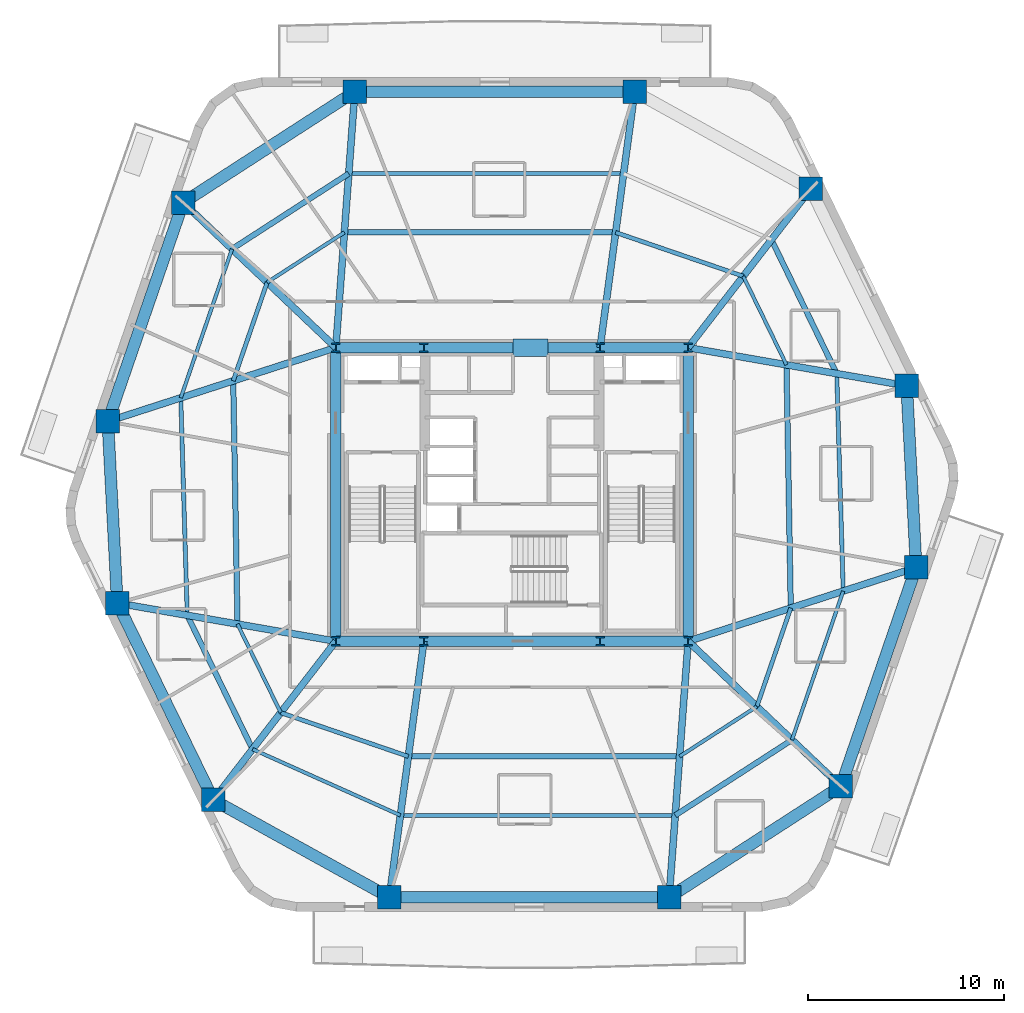
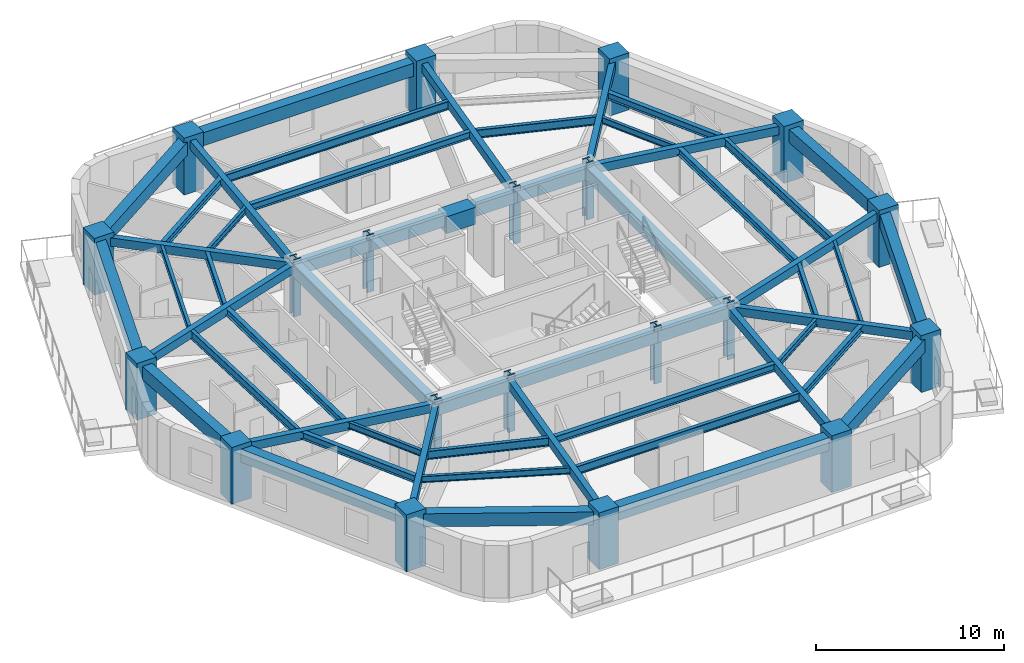
# One storey, part 1 of 8: 54 beams, 20 columns.
"""IFC4 building model written with IfcOpenShell, lengths in metres."""

from ifc_helpers import new_model, si_unit, direction, frame, origin, origin_2d, place, context, subcontext, project, spatial, rectangle, i_section, extrude, material, material_profile, profile_set, type_object, element, save


model = new_model("IFC4")

# Units and contexts
model_context = context("Model", 3, precision=1e-05, world=origin(), true_north=direction((0.0, 1.0)))
body_context = subcontext(model_context, "Body", "Model", "MODEL_VIEW")
ifc_project = project(units=[si_unit("LENGTHUNIT", "METRE"), si_unit("AREAUNIT", "SQUARE_METRE"), si_unit("VOLUMEUNIT", "CUBIC_METRE"), si_unit("PLANEANGLEUNIT", "RADIAN"), si_unit("MASSUNIT", "GRAM", prefix="KILO")], contexts=[model_context])

# Site, building, storey
site_placement = place(None, origin())
site = spatial("IfcSite", under=ifc_project, at=site_placement, CompositionType="ELEMENT")
building_placement = place(site_placement, origin())
building = spatial("IfcBuilding", under=site, at=building_placement, Name="Kilnhurst Terrace Hotel", CompositionType="ELEMENT")
storey_placement = place(building_placement, frame((0.0, 0.0, 132.10009765625)))
storey = spatial("IfcBuildingStorey", under=building, at=storey_placement, Name="L32", CompositionType="ELEMENT", Elevation=132.10009765625)

# Columns
ifc_material_1 = material(Name="Concrete C80/95", Category="concrete")
ifc_material_profile_1 = material_profile(ifc_material_1, rectangle(XDim=1.199951171875, YDim=1.199951171875, at=origin_2d()), Name="RC1200X1200")
ifc_profile_set_1 = profile_set([ifc_material_profile_1], Name="Concrete C80/95")
column_type_1 = type_object("IfcColumnType", Name="COL-RC-1200", PredefinedType="COLUMN", material=ifc_profile_set_1)
for number, where, z_axis, x_axis, name in (
    (1, (-6.26806640625, -20.580078125, 0.0), (0.0, 0.0, 1.0), (1.0, 0.0, 0.0), "L32 Structural Column PC-F11"),
    (2, (8.028076171875, -20.580078125, 0.0), (0.0, 0.0, 1.0), (1.0, 0.0, 0.0), "L32 Structural Column PC-F12"),
    (3, (16.800048828125, -14.910888671875, 0.0), (0.0, 0.0, 1.0), (1.0, 0.0, 0.0), "L32 Structural Column PC-F21"),
    (4, (20.64990234375, -3.73095703125, 0.0), (0.0, 0.0, 1.0), (1.0, 0.0, 0.0), "L32 Structural Column PC-F22"),
    (5, (20.1640625, 5.549072265625, 0.0), (0.0, 0.0, 1.0), (1.0, 0.0, 0.0), "L32 Structural Column PC-F31"),
    (6, (15.257080078125, 15.60888671875, 0.0), (0.0, 0.0, 1.0), (1.0, 0.0, 0.0), "L32 Structural Column PC-F32"),
    (7, (6.26806640625, 20.580078125, 0.0), (0.0, 0.0, 1.0), (1.0, 0.0, 0.0), "L32 Structural Column PC-F41"),
    (8, (-8.028076171875, 20.580078125, 0.0), (0.0, 0.0, 1.0), (1.0, 0.0, 0.0), "L32 Structural Column PC-F42"),
    (9, (-16.800048828125, 14.910888671875, 0.0), (0.0, 0.0, 1.0), (1.0, 0.0, 0.0), "L32 Structural Column PC-F51"),
    (10, (-20.64990234375, 3.73095703125, 0.0), (0.0, 0.0, 1.0), (1.0, 0.0, 0.0), "L32 Structural Column PC-F52"),
    (11, (-20.1640625, -5.549072265625, 0.0), (0.0, 0.0, 1.0), (1.0, 0.0, 0.0), "L32 Structural Column PC-F61"),
    (12, (-15.257080078125, -15.60888671875, 0.0), (0.0, 0.0, 1.0), (1.0, 0.0, 0.0), "L32 Structural Column PC-F62"),
):
    element("IfcColumn", number, at=place(storey_placement, frame(where, z_axis=z_axis, x_axis=x_axis)), inside=storey, type_object=column_type_1, Name=name, PredefinedType="COLUMN", context=body_context, shape_type="SweptSolid", body=[
        extrude(rectangle(XDim=1.199951171875, YDim=1.199951171875, at=origin_2d()), origin(), (0.0, 0.0, 1.0), 3.699951171875),
    ])
ifc_material_2 = material(Name="Steel ASTM A992 Grade 50", Category="steel")
ifc_material_profile_2 = material_profile(ifc_material_2, i_section(OverallWidth=0.43212890625, OverallDepth=0.497802734375, WebThickness=0.0556640625, FlangeThickness=0.0888671875, at=origin_2d()), Name="W14X500")
ifc_profile_set_2 = profile_set([ifc_material_profile_2], Name="Steel ASTM A992 Grade 50")
column_type_2 = type_object("IfcColumnType", Name="COL-STL-W14X500", PredefinedType="COLUMN", material=ifc_profile_set_2)
for number, where, z_axis, x_axis, name in (
    (13, (-9.0, -7.5, 0.0), (0.0, 0.0, 1.0), (1.0, 0.0, 0.0), "L32 Structural Column CC-SW"),
    (14, (-4.5, -7.5, 0.0), (0.0, 0.0, 1.0), (1.0, 0.0, 0.0), "L32 Structural Column CC-SC1"),
    (15, (4.5, -7.5, 0.0), (0.0, 0.0, 1.0), (1.0, 0.0, 0.0), "L32 Structural Column CC-SC2"),
    (16, (9.0, -7.5, 0.0), (0.0, 0.0, 1.0), (1.0, 0.0, 0.0), "L32 Structural Column CC-SE"),
    (17, (9.0, 7.5, 0.0), (0.0, 0.0, 1.0), (1.0, 0.0, 0.0), "L32 Structural Column CC-NE"),
    (18, (4.5, 7.5, 0.0), (0.0, 0.0, 1.0), (1.0, 0.0, 0.0), "L32 Structural Column CC-NC2"),
    (19, (-4.5, 7.5, 0.0), (0.0, 0.0, 1.0), (1.0, 0.0, 0.0), "L32 Structural Column CC-NC1"),
    (20, (-9.0, 7.5, 0.0), (0.0, 0.0, 1.0), (1.0, 0.0, 0.0), "L32 Structural Column CC-NW"),
):
    element("IfcColumn", number, at=place(storey_placement, frame(where, z_axis=z_axis, x_axis=x_axis)), inside=storey, type_object=column_type_2, Name=name, PredefinedType="COLUMN", context=body_context, shape_type="SweptSolid", body=[
        extrude(i_section(OverallWidth=0.43212890625, OverallDepth=0.497802734375, WebThickness=0.0556640625, FlangeThickness=0.0888671875, at=origin_2d()), origin(), (0.0, 0.0, 1.0), 3.699951171875),
    ])

# Beams
ifc_material_3 = material(Name="Concrete C50/60", Category="concrete")
ifc_material_profile_3 = material_profile(ifc_material_3, rectangle(XDim=0.35009765625, YDim=0.550048828125, at=origin_2d()), Name="RC350X550")
ifc_profile_set_3 = profile_set([ifc_material_profile_3], Name="Concrete C50/60")
beam_type_1 = type_object("IfcBeamType", Name="BM-RAD-350X550", PredefinedType="BEAM", material=ifc_profile_set_3)
beam_1_placement = place(storey_placement, frame((-4.5, -7.5, 3.125), z_axis=(-0.133954226177, -0.990987520249, 0.0), x_axis=(0.990987520249, -0.133954226177, 0.0)))
element("IfcBeam", 21, at=beam_1_placement, inside=storey, type_object=beam_type_1, Name="L32 Radial Floor Beam 1", PredefinedType="BEAM", context=body_context, shape_type="SweptSolid", body=[
    extrude(rectangle(XDim=0.35009765625, YDim=0.550048828125, at=origin_2d()), origin(), (0.0, 0.0, 1.0), 13.198974609375),
])
beam_2_placement = place(storey_placement, frame((9.0, -7.5, 3.125), z_axis=(-0.074101371747, -0.997250714066, 0.0), x_axis=(0.997250714066, -0.074101371747, 0.0)))
element("IfcBeam", 22, at=beam_2_placement, inside=storey, type_object=beam_type_1, Name="L32 Radial Floor Beam 2", PredefinedType="BEAM", context=body_context, shape_type="SweptSolid", body=[
    extrude(rectangle(XDim=0.35009765625, YDim=0.550048828125, at=origin_2d()), origin(), (0.0, 0.0, 1.0), 13.1162109375),
])
beam_3_placement = place(storey_placement, frame((9.0, -7.5, 3.125), z_axis=(0.724960341586, -0.688790609059, 0.0), x_axis=(0.688790609059, 0.724960341586, 0.0)))
element("IfcBeam", 23, at=beam_3_placement, inside=storey, type_object=beam_type_1, Name="L32 Radial Floor Beam 3", PredefinedType="BEAM", context=body_context, shape_type="SweptSolid", body=[
    extrude(rectangle(XDim=0.35009765625, YDim=0.550048828125, at=origin_2d()), origin(), (0.0, 0.0, 1.0), 10.75927734375),
])
beam_4_placement = place(storey_placement, frame((9.0, -7.5, 3.125), z_axis=(0.951445549065, 0.307817100182, 0.0), x_axis=(-0.307817100182, 0.951445549065, 0.0)))
element("IfcBeam", 24, at=beam_4_placement, inside=storey, type_object=beam_type_1, Name="L32 Radial Floor Beam 4", PredefinedType="BEAM", context=body_context, shape_type="SweptSolid", body=[
    extrude(rectangle(XDim=0.35009765625, YDim=0.550048828125, at=origin_2d()), origin(), (0.0, 0.0, 1.0), 12.244384765625),
])
beam_5_placement = place(storey_placement, frame((9.0, 7.5, 3.125), z_axis=(0.985072137567, -0.172142045384, 0.0), x_axis=(0.172142045384, 0.985072137567, 0.0)))
element("IfcBeam", 25, at=beam_5_placement, inside=storey, type_object=beam_type_1, Name="L32 Radial Floor Beam 5", PredefinedType="BEAM", context=body_context, shape_type="SweptSolid", body=[
    extrude(rectangle(XDim=0.35009765625, YDim=0.550048828125, at=origin_2d()), origin(), (0.0, 0.0, 1.0), 11.333251953125),
])
beam_6_placement = place(storey_placement, frame((9.0, 7.5, 3.125), z_axis=(0.610904638371, 0.79170418896, 0.0), x_axis=(-0.79170418896, 0.610904638371, 0.0)))
element("IfcBeam", 26, at=beam_6_placement, inside=storey, type_object=beam_type_1, Name="L32 Radial Floor Beam 6", PredefinedType="BEAM", context=body_context, shape_type="SweptSolid", body=[
    extrude(rectangle(XDim=0.35009765625, YDim=0.550048828125, at=origin_2d()), origin(), (0.0, 0.0, 1.0), 10.242431640625),
])
beam_7_placement = place(storey_placement, frame((4.5, 7.5, 3.125), z_axis=(0.133954226177, 0.990987520249, 0.0), x_axis=(-0.990987520249, 0.133954226177, 0.0)))
element("IfcBeam", 27, at=beam_7_placement, inside=storey, type_object=beam_type_1, Name="L32 Radial Floor Beam 7", PredefinedType="BEAM", context=body_context, shape_type="SweptSolid", body=[
    extrude(rectangle(XDim=0.35009765625, YDim=0.550048828125, at=origin_2d()), origin(), (0.0, 0.0, 1.0), 13.198974609375),
])
beam_8_placement = place(storey_placement, frame((-9.0, 7.5, 3.125), z_axis=(0.074101371747, 0.997250714066, 0.0), x_axis=(-0.997250714066, 0.074101371747, 0.0)))
element("IfcBeam", 28, at=beam_8_placement, inside=storey, type_object=beam_type_1, Name="L32 Radial Floor Beam 8", PredefinedType="BEAM", context=body_context, shape_type="SweptSolid", body=[
    extrude(rectangle(XDim=0.35009765625, YDim=0.550048828125, at=origin_2d()), origin(), (0.0, 0.0, 1.0), 13.1162109375),
])
beam_9_placement = place(storey_placement, frame((-9.0, 7.5, 3.125), z_axis=(-0.724960341586, 0.688790609059, 0.0), x_axis=(-0.688790609059, -0.724960341586, 0.0)))
element("IfcBeam", 29, at=beam_9_placement, inside=storey, type_object=beam_type_1, Name="L32 Radial Floor Beam 9", PredefinedType="BEAM", context=body_context, shape_type="SweptSolid", body=[
    extrude(rectangle(XDim=0.35009765625, YDim=0.550048828125, at=origin_2d()), origin(), (0.0, 0.0, 1.0), 10.75927734375),
])
beam_10_placement = place(storey_placement, frame((-9.0, 7.5, 3.125), z_axis=(-0.951445549065, -0.307817100182, 0.0), x_axis=(0.307817100182, -0.951445549065, 0.0)))
element("IfcBeam", 30, at=beam_10_placement, inside=storey, type_object=beam_type_1, Name="L32 Radial Floor Beam 10", PredefinedType="BEAM", context=body_context, shape_type="SweptSolid", body=[
    extrude(rectangle(XDim=0.35009765625, YDim=0.550048828125, at=origin_2d()), origin(), (0.0, 0.0, 1.0), 12.244384765625),
])
beam_11_placement = place(storey_placement, frame((-9.0, -7.5, 3.125), z_axis=(-0.985072137567, 0.172142045384, 0.0), x_axis=(-0.172142045384, -0.985072137567, 0.0)))
element("IfcBeam", 31, at=beam_11_placement, inside=storey, type_object=beam_type_1, Name="L32 Radial Floor Beam 11", PredefinedType="BEAM", context=body_context, shape_type="SweptSolid", body=[
    extrude(rectangle(XDim=0.35009765625, YDim=0.550048828125, at=origin_2d()), origin(), (0.0, 0.0, 1.0), 11.333251953125),
])
beam_12_placement = place(storey_placement, frame((-9.0, -7.5, 3.125), z_axis=(-0.610904638371, -0.79170418896, 0.0), x_axis=(0.79170418896, -0.610904638371, 0.0)))
element("IfcBeam", 32, at=beam_12_placement, inside=storey, type_object=beam_type_1, Name="L32 Radial Floor Beam 12", PredefinedType="BEAM", context=body_context, shape_type="SweptSolid", body=[
    extrude(rectangle(XDim=0.35009765625, YDim=0.550048828125, at=origin_2d()), origin(), (0.0, 0.0, 1.0), 10.242431640625),
])
ifc_material_profile_4 = material_profile(ifc_material_3, rectangle(XDim=0.550048828125, YDim=0.75, at=origin_2d()), Name="RC550X750")
ifc_profile_set_4 = profile_set([ifc_material_profile_4], Name="Concrete C50/60")
beam_type_2 = type_object("IfcBeamType", Name="BM-SPN-550X750", PredefinedType="SPANDREL", material=ifc_profile_set_4)
beam_13_placement = place(storey_placement, frame((-9.0, 7.5, 3.02490234375), z_axis=(1.0, 0.0, 0.0), x_axis=(0.0, 1.0, 0.0)))
element("IfcBeam", 33, at=beam_13_placement, inside=storey, type_object=beam_type_2, Name="L32 Core Tie Beam CC-NW to CC-NC1", PredefinedType="SPANDREL", context=body_context, shape_type="SweptSolid", body=[
    extrude(rectangle(XDim=0.550048828125, YDim=0.75, at=origin_2d()), origin(), (0.0, 0.0, 1.0), 4.5),
])
beam_14_placement = place(storey_placement, frame((-4.5, 7.5, 3.02490234375), z_axis=(1.0, 0.0, 0.0), x_axis=(0.0, 1.0, 0.0)))
element("IfcBeam", 34, at=beam_14_placement, inside=storey, type_object=beam_type_2, Name="L32 Core Tie Beam CC-NC1 to CC-NC2", PredefinedType="SPANDREL", context=body_context, shape_type="SweptSolid", body=[
    extrude(rectangle(XDim=0.550048828125, YDim=0.75, at=origin_2d()), origin(), (0.0, 0.0, 1.0), 9.0),
])
for number, where, z_axis, x_axis, name in (
    (35, (4.5, 7.5, 3.02490234375), (1.0, 0.0, 0.0), (0.0, 1.0, 0.0), "L32 Core Tie Beam CC-NC2 to CC-NE"),
    (36, (-9.0, -7.5, 3.02490234375), (1.0, 0.0, 0.0), (0.0, 1.0, 0.0), "L32 Core Tie Beam CC-SW to CC-SC1"),
):
    element("IfcBeam", number, at=place(storey_placement, frame(where, z_axis=z_axis, x_axis=x_axis)), inside=storey, type_object=beam_type_2, Name=name, PredefinedType="SPANDREL", context=body_context, shape_type="SweptSolid", body=[
        extrude(rectangle(XDim=0.550048828125, YDim=0.75, at=origin_2d()), origin(), (0.0, 0.0, 1.0), 4.5),
    ])
beam_15_placement = place(storey_placement, frame((-4.5, -7.5, 3.02490234375), z_axis=(1.0, 0.0, 0.0), x_axis=(0.0, 1.0, 0.0)))
element("IfcBeam", 37, at=beam_15_placement, inside=storey, type_object=beam_type_2, Name="L32 Core Tie Beam CC-SC1 to CC-SC2", PredefinedType="SPANDREL", context=body_context, shape_type="SweptSolid", body=[
    extrude(rectangle(XDim=0.550048828125, YDim=0.75, at=origin_2d()), origin(), (0.0, 0.0, 1.0), 9.0),
])
beam_16_placement = place(storey_placement, frame((4.5, -7.5, 3.02490234375), z_axis=(1.0, 0.0, 0.0), x_axis=(0.0, 1.0, 0.0)))
element("IfcBeam", 38, at=beam_16_placement, inside=storey, type_object=beam_type_2, Name="L32 Core Tie Beam CC-SC2 to CC-SE", PredefinedType="SPANDREL", context=body_context, shape_type="SweptSolid", body=[
    extrude(rectangle(XDim=0.550048828125, YDim=0.75, at=origin_2d()), origin(), (0.0, 0.0, 1.0), 4.5),
])
for number, where, z_axis, x_axis, name in (
    (39, (-9.0, -7.5, 3.02490234375), (0.0, 1.0, 0.0), (-1.0, 0.0, 0.0), "L32 Core Tie Beam CC-SW to CC-NW"),
    (40, (9.0, -7.5, 3.02490234375), (0.0, 1.0, 0.0), (-1.0, 0.0, 0.0), "L32 Core Tie Beam CC-SE to CC-NE"),
):
    element("IfcBeam", number, at=place(storey_placement, frame(where, z_axis=z_axis, x_axis=x_axis)), inside=storey, type_object=beam_type_2, Name=name, PredefinedType="SPANDREL", context=body_context, shape_type="SweptSolid", body=[
        extrude(rectangle(XDim=0.550048828125, YDim=0.75, at=origin_2d()), origin(), (0.0, 0.0, 1.0), 15.0),
    ])
ifc_material_profile_5 = material_profile(ifc_material_3, rectangle(XDim=0.60009765625, YDim=0.85009765625, at=origin_2d()), Name="RC600X850")
ifc_profile_set_5 = profile_set([ifc_material_profile_5], Name="Concrete C50/60")
beam_type_3 = type_object("IfcBeamType", Name="BM-SPN-600X850", PredefinedType="SPANDREL", material=ifc_profile_set_5)
beam_17_placement = place(storey_placement, frame((-6.26806640625, -20.580078125, 2.974853515625), z_axis=(1.0, 0.0, 0.0), x_axis=(0.0, 1.0, 0.0)))
element("IfcBeam", 41, at=beam_17_placement, inside=storey, type_object=beam_type_3, Name="L32 Perimeter Spandrel Beam 1", PredefinedType="SPANDREL", context=body_context, shape_type="SweptSolid", body=[
    extrude(rectangle(XDim=0.60009765625, YDim=0.85009765625, at=origin_2d()), origin(), (0.0, 0.0, 1.0), 14.296142578125),
])
beam_18_placement = place(storey_placement, frame((8.028076171875, -20.580078125, 2.974853515625), z_axis=(0.839866667472, 0.542792760517, 0.0), x_axis=(-0.542792760517, 0.839866667472, 0.0)))
element("IfcBeam", 42, at=beam_18_placement, inside=storey, type_object=beam_type_3, Name="L32 Perimeter Spandrel Beam 2", PredefinedType="SPANDREL", context=body_context, shape_type="SweptSolid", body=[
    extrude(rectangle(XDim=0.60009765625, YDim=0.85009765625, at=origin_2d()), origin(), (0.0, 0.0, 1.0), 10.444580078125),
])
beam_19_placement = place(storey_placement, frame((16.800048828125, -14.910888671875, 2.974853515625), z_axis=(0.325590408593, 0.945510912593, 0.0), x_axis=(-0.945510912593, 0.325590408593, 0.0)))
element("IfcBeam", 43, at=beam_19_placement, inside=storey, type_object=beam_type_3, Name="L32 Perimeter Spandrel Beam 3", PredefinedType="SPANDREL", context=body_context, shape_type="SweptSolid", body=[
    extrude(rectangle(XDim=0.60009765625, YDim=0.85009765625, at=origin_2d()), origin(), (0.0, 0.0, 1.0), 11.82421875),
])
beam_20_placement = place(storey_placement, frame((20.64990234375, -3.73095703125, 2.974853515625), z_axis=(-0.052281666706, 0.998632378469, 0.0), x_axis=(-0.998632378469, -0.052281666706, 0.0)))
element("IfcBeam", 44, at=beam_20_placement, inside=storey, type_object=beam_type_3, Name="L32 Perimeter Spandrel Beam 4", PredefinedType="SPANDREL", context=body_context, shape_type="SweptSolid", body=[
    extrude(rectangle(XDim=0.60009765625, YDim=0.85009765625, at=origin_2d()), origin(), (0.0, 0.0, 1.0), 9.292724609375),
])
beam_21_placement = place(storey_placement, frame((6.26806640625, 20.580078125, 2.974853515625), z_axis=(-1.0, 0.0, 0.0), x_axis=(0.0, -1.0, 0.0)))
element("IfcBeam", 45, at=beam_21_placement, inside=storey, type_object=beam_type_3, Name="L32 Perimeter Spandrel Beam 7", PredefinedType="SPANDREL", context=body_context, shape_type="SweptSolid", body=[
    extrude(rectangle(XDim=0.60009765625, YDim=0.85009765625, at=origin_2d()), origin(), (0.0, 0.0, 1.0), 14.296142578125),
])
beam_22_placement = place(storey_placement, frame((-8.028076171875, 20.580078125, 2.974853515625), z_axis=(-0.839866667472, -0.542792760517, 0.0), x_axis=(0.542792760517, -0.839866667472, 0.0)))
element("IfcBeam", 46, at=beam_22_placement, inside=storey, type_object=beam_type_3, Name="L32 Perimeter Spandrel Beam 8", PredefinedType="SPANDREL", context=body_context, shape_type="SweptSolid", body=[
    extrude(rectangle(XDim=0.60009765625, YDim=0.85009765625, at=origin_2d()), origin(), (0.0, 0.0, 1.0), 10.444580078125),
])
beam_23_placement = place(storey_placement, frame((-16.800048828125, 14.910888671875, 2.974853515625), z_axis=(-0.325590408593, -0.945510912593, 0.0), x_axis=(0.945510912593, -0.325590408593, 0.0)))
element("IfcBeam", 47, at=beam_23_placement, inside=storey, type_object=beam_type_3, Name="L32 Perimeter Spandrel Beam 9", PredefinedType="SPANDREL", context=body_context, shape_type="SweptSolid", body=[
    extrude(rectangle(XDim=0.60009765625, YDim=0.85009765625, at=origin_2d()), origin(), (0.0, 0.0, 1.0), 11.82421875),
])
beam_24_placement = place(storey_placement, frame((-20.64990234375, 3.73095703125, 2.974853515625), z_axis=(0.052281666706, -0.998632378469, 0.0), x_axis=(0.998632378469, 0.052281666706, 0.0)))
element("IfcBeam", 48, at=beam_24_placement, inside=storey, type_object=beam_type_3, Name="L32 Perimeter Spandrel Beam 10", PredefinedType="SPANDREL", context=body_context, shape_type="SweptSolid", body=[
    extrude(rectangle(XDim=0.60009765625, YDim=0.85009765625, at=origin_2d()), origin(), (0.0, 0.0, 1.0), 9.292724609375),
])
beam_25_placement = place(storey_placement, frame((-20.1640625, -5.549072265625, 2.974853515625), z_axis=(0.438406012271, -0.89877704043, 0.0), x_axis=(0.89877704043, 0.438406012271, 0.0)))
element("IfcBeam", 49, at=beam_25_placement, inside=storey, type_object=beam_type_3, Name="L32 Perimeter Spandrel Beam 11", PredefinedType="SPANDREL", context=body_context, shape_type="SweptSolid", body=[
    extrude(rectangle(XDim=0.60009765625, YDim=0.85009765625, at=origin_2d()), origin(), (0.0, 0.0, 1.0), 11.19287109375),
])
beam_26_placement = place(storey_placement, frame((-15.257080078125, -15.60888671875, 2.974853515625), z_axis=(0.875094010429, -0.483952965598, 0.0), x_axis=(0.483952965598, 0.875094010429, 0.0)))
element("IfcBeam", 50, at=beam_26_placement, inside=storey, type_object=beam_type_3, Name="L32 Perimeter Spandrel Beam 12", PredefinedType="SPANDREL", context=body_context, shape_type="SweptSolid", body=[
    extrude(rectangle(XDim=0.60009765625, YDim=0.85009765625, at=origin_2d()), origin(), (0.0, 0.0, 1.0), 10.27197265625),
])
ifc_material_profile_6 = material_profile(ifc_material_2, i_section(OverallWidth=0.180908203125, OverallDepth=0.417236328125, WebThickness=0.010986328125, FlangeThickness=0.018310546875, at=origin_2d()), Name="W16X57")
ifc_profile_set_6 = profile_set([ifc_material_profile_6], Name="Steel ASTM A992 Grade 50")
beam_type_4 = type_object("IfcBeamType", Name="JST-STL-W16X57", PredefinedType="JOIST", material=ifc_profile_set_6)
for number, where, z_axis, x_axis, name in (
    (51, (14.303955078125, -12.53955078125, 3.19091796875), (0.325612620381, 0.945503263584, 0.0), (-0.945503263584, 0.325612620381, 0.0), "L32 Secondary Floor Steel Joist OUT.3"),
    (52, (-14.303955078125, 12.53955078125, 3.19091796875), (-0.325612620381, -0.945503263584, 0.0), (0.945503263584, -0.325612620381, 0.0), "L32 Secondary Floor Steel Joist OUT.9"),
):
    element("IfcBeam", number, at=place(storey_placement, frame(where, z_axis=z_axis, x_axis=x_axis)), inside=storey, type_object=beam_type_4, Name=name, PredefinedType="JOIST", context=body_context, shape_type="SweptSolid", body=[
        extrude(i_section(OverallWidth=0.180908203125, OverallDepth=0.417236328125, WebThickness=0.010986328125, FlangeThickness=0.018310546875, at=origin_2d()), origin(), (0.0, 0.0, 1.0), 8.040771484375),
    ])
beam_27_placement = place(storey_placement, frame((-13.2548828125, -13.01416015625, 3.19091796875), z_axis=(0.912760935806, -0.408494154262, 0.0), x_axis=(0.408494154262, 0.912760935806, 0.0)))
element("IfcBeam", 53, at=beam_27_placement, inside=storey, type_object=beam_type_4, Name="L32 Secondary Floor Steel Joist OUT.12", PredefinedType="JOIST", context=body_context, shape_type="SweptSolid", body=[
    extrude(i_section(OverallWidth=0.180908203125, OverallDepth=0.417236328125, WebThickness=0.010986328125, FlangeThickness=0.018310546875, at=origin_2d()), origin(), (0.0, 0.0, 1.0), 8.274658203125),
])
beam_28_placement = place(storey_placement, frame((8.5625, -13.385986328125, 3.19091796875), z_axis=(0.839884974974, 0.542764432155, 0.0), x_axis=(-0.542764432155, 0.839884974974, 0.0)))
element("IfcBeam", 54, at=beam_28_placement, inside=storey, type_object=beam_type_4, Name="L32 Secondary Floor Steel Joist IN.2", PredefinedType="JOIST", context=body_context, shape_type="SweptSolid", body=[
    extrude(i_section(OverallWidth=0.180908203125, OverallDepth=0.417236328125, WebThickness=0.010986328125, FlangeThickness=0.018310546875, at=origin_2d()), origin(), (0.0, 0.0, 1.0), 4.699951171875),
])
beam_29_placement = place(storey_placement, frame((14.023681640625, 6.6220703125, 3.19091796875), z_axis=(-0.438389251087, 0.898785216017, 0.0), x_axis=(-0.898785216017, -0.438389251087, 0.0)))
element("IfcBeam", 55, at=beam_29_placement, inside=storey, type_object=beam_type_4, Name="L32 Secondary Floor Steel Joist IN.5", PredefinedType="JOIST", context=body_context, shape_type="SweptSolid", body=[
    extrude(i_section(OverallWidth=0.180908203125, OverallDepth=0.417236328125, WebThickness=0.010986328125, FlangeThickness=0.018310546875, at=origin_2d()), origin(), (0.0, 0.0, 1.0), 5.03662109375),
])
beam_30_placement = place(storey_placement, frame((-8.5625, 13.385986328125, 3.19091796875), z_axis=(-0.839884974974, -0.542764432155, 0.0), x_axis=(0.542764432155, -0.839884974974, 0.0)))
element("IfcBeam", 56, at=beam_30_placement, inside=storey, type_object=beam_type_4, Name="L32 Secondary Floor Steel Joist IN.8", PredefinedType="JOIST", context=body_context, shape_type="SweptSolid", body=[
    extrude(i_section(OverallWidth=0.180908203125, OverallDepth=0.417236328125, WebThickness=0.010986328125, FlangeThickness=0.018310546875, at=origin_2d()), origin(), (0.0, 0.0, 1.0), 4.699951171875),
])
beam_31_placement = place(storey_placement, frame((-14.023681640625, -6.6220703125, 3.19091796875), z_axis=(0.438389251087, -0.898785216017, 0.0), x_axis=(0.898785216017, 0.438389251087, 0.0)))
element("IfcBeam", 57, at=beam_31_placement, inside=storey, type_object=beam_type_4, Name="L32 Secondary Floor Steel Joist IN.11", PredefinedType="JOIST", context=body_context, shape_type="SweptSolid", body=[
    extrude(i_section(OverallWidth=0.180908203125, OverallDepth=0.417236328125, WebThickness=0.010986328125, FlangeThickness=0.018310546875, at=origin_2d()), origin(), (0.0, 0.0, 1.0), 5.03662109375),
])
ifc_material_profile_7 = material_profile(ifc_material_2, i_section(OverallWidth=0.279296875, OverallDepth=0.462890625, WebThickness=0.0107421875, FlangeThickness=0.017333984375, at=origin_2d()), Name="W18X76")
ifc_profile_set_7 = profile_set([ifc_material_profile_7], Name="Steel ASTM A992 Grade 50")
beam_type_5 = type_object("IfcBeamType", Name="JST-STL-W18X76", PredefinedType="JOIST", material=ifc_profile_set_7)
beam_32_placement = place(storey_placement, frame((8.339111328125, -16.394287109375, 3.16796875), z_axis=(0.839882675086, 0.542767991034, 0.0), x_axis=(-0.542767991034, 0.839882675086, 0.0)))
element("IfcBeam", 58, at=beam_32_placement, inside=storey, type_object=beam_type_5, Name="L32 Secondary Floor Steel Joist OUT.2", PredefinedType="JOIST", context=body_context, shape_type="SweptSolid", body=[
    extrude(i_section(OverallWidth=0.279296875, OverallDepth=0.462890625, WebThickness=0.0107421875, FlangeThickness=0.017333984375, at=origin_2d()), origin(), (0.0, 0.0, 1.0), 7.10205078125),
])
beam_33_placement = place(storey_placement, frame((16.591552734375, 6.17333984375, 3.16796875), z_axis=(-0.438390137084, 0.898784783865, 0.0), x_axis=(-0.898784783865, -0.438390137084, 0.0)))
element("IfcBeam", 59, at=beam_33_placement, inside=storey, type_object=beam_type_5, Name="L32 Secondary Floor Steel Joist OUT.5", PredefinedType="JOIST", context=body_context, shape_type="SweptSolid", body=[
    extrude(i_section(OverallWidth=0.279296875, OverallDepth=0.462890625, WebThickness=0.0107421875, FlangeThickness=0.017333984375, at=origin_2d()), origin(), (0.0, 0.0, 1.0), 7.611083984375),
])
beam_34_placement = place(storey_placement, frame((-8.339111328125, 16.394287109375, 3.16796875), z_axis=(-0.839882675086, -0.542767991034, 0.0), x_axis=(0.542767991034, -0.839882675086, 0.0)))
element("IfcBeam", 60, at=beam_34_placement, inside=storey, type_object=beam_type_5, Name="L32 Secondary Floor Steel Joist OUT.8", PredefinedType="JOIST", context=body_context, shape_type="SweptSolid", body=[
    extrude(i_section(OverallWidth=0.279296875, OverallDepth=0.462890625, WebThickness=0.0107421875, FlangeThickness=0.017333984375, at=origin_2d()), origin(), (0.0, 0.0, 1.0), 7.10205078125),
])
beam_35_placement = place(storey_placement, frame((-16.591552734375, -6.17333984375, 3.16796875), z_axis=(0.438390137084, -0.898784783865, 0.0), x_axis=(0.898784783865, 0.438390137084, 0.0)))
element("IfcBeam", 61, at=beam_35_placement, inside=storey, type_object=beam_type_5, Name="L32 Secondary Floor Steel Joist OUT.11", PredefinedType="JOIST", context=body_context, shape_type="SweptSolid", body=[
    extrude(i_section(OverallWidth=0.279296875, OverallDepth=0.462890625, WebThickness=0.0107421875, FlangeThickness=0.017333984375, at=origin_2d()), origin(), (0.0, 0.0, 1.0), 7.611083984375),
])
beam_36_placement = place(storey_placement, frame((-5.295654296875, -13.385986328125, 3.16796875), z_axis=(1.0, 0.0, 0.0), x_axis=(0.0, 1.0, 0.0)))
element("IfcBeam", 62, at=beam_36_placement, inside=storey, type_object=beam_type_5, Name="L32 Secondary Floor Steel Joist IN.1", PredefinedType="JOIST", context=body_context, shape_type="SweptSolid", body=[
    extrude(i_section(OverallWidth=0.279296875, OverallDepth=0.462890625, WebThickness=0.0107421875, FlangeThickness=0.017333984375, at=origin_2d()), origin(), (0.0, 0.0, 1.0), 13.858154296875),
])
beam_37_placement = place(storey_placement, frame((14.242431640625, -5.803955078125, 3.16796875), z_axis=(-0.017601453796, 0.999845082412, 0.0), x_axis=(-0.999845082412, -0.017601453796, 0.0)))
element("IfcBeam", 63, at=beam_37_placement, inside=storey, type_object=beam_type_5, Name="L32 Secondary Floor Steel Joist IN.4", PredefinedType="JOIST", context=body_context, shape_type="SweptSolid", body=[
    extrude(i_section(OverallWidth=0.279296875, OverallDepth=0.462890625, WebThickness=0.0107421875, FlangeThickness=0.017333984375, at=origin_2d()), origin(), (0.0, 0.0, 1.0), 12.427978515625),
])
beam_38_placement = place(storey_placement, frame((5.295654296875, 13.385986328125, 3.16796875), z_axis=(-1.0, 0.0, 0.0), x_axis=(0.0, -1.0, 0.0)))
element("IfcBeam", 64, at=beam_38_placement, inside=storey, type_object=beam_type_5, Name="L32 Secondary Floor Steel Joist IN.7", PredefinedType="JOIST", context=body_context, shape_type="SweptSolid", body=[
    extrude(i_section(OverallWidth=0.279296875, OverallDepth=0.462890625, WebThickness=0.0107421875, FlangeThickness=0.017333984375, at=origin_2d()), origin(), (0.0, 0.0, 1.0), 13.858154296875),
])
beam_39_placement = place(storey_placement, frame((-14.242431640625, 5.803955078125, 3.16796875), z_axis=(0.017601453796, -0.999845082412, 0.0), x_axis=(0.999845082412, 0.017601453796, 0.0)))
element("IfcBeam", 65, at=beam_39_placement, inside=storey, type_object=beam_type_5, Name="L32 Secondary Floor Steel Joist IN.10", PredefinedType="JOIST", context=body_context, shape_type="SweptSolid", body=[
    extrude(i_section(OverallWidth=0.279296875, OverallDepth=0.462890625, WebThickness=0.0107421875, FlangeThickness=0.017333984375, at=origin_2d()), origin(), (0.0, 0.0, 1.0), 12.427978515625),
])
ifc_material_profile_8 = material_profile(ifc_material_2, i_section(OverallWidth=0.2138671875, OverallDepth=0.549072265625, WebThickness=0.0146484375, FlangeThickness=0.023681640625, at=origin_2d()), Name="W21X93")
ifc_profile_set_8 = profile_set([ifc_material_profile_8], Name="Steel ASTM A992 Grade 50")
beam_type_6 = type_object("IfcBeamType", Name="JST-STL-W21X93", PredefinedType="JOIST", material=ifc_profile_set_8)
beam_40_placement = place(storey_placement, frame((-5.7021484375, -16.394287109375, 3.125), z_axis=(1.0, 0.0, 0.0), x_axis=(0.0, 1.0, 0.0)))
element("IfcBeam", 66, at=beam_40_placement, inside=storey, type_object=beam_type_6, Name="L32 Secondary Floor Steel Joist OUT.1", PredefinedType="JOIST", context=body_context, shape_type="SweptSolid", body=[
    extrude(i_section(OverallWidth=0.2138671875, OverallDepth=0.549072265625, WebThickness=0.0146484375, FlangeThickness=0.023681640625, at=origin_2d()), origin(), (0.0, 0.0, 1.0), 14.041259765625),
])
beam_41_placement = place(storey_placement, frame((16.922119140625, -4.93701171875, 3.125), z_axis=(-0.029739849895, 0.999557672837, 0.0), x_axis=(-0.999557672837, -0.029739849895, 0.0)))
element("IfcBeam", 67, at=beam_41_placement, inside=storey, type_object=beam_type_6, Name="L32 Secondary Floor Steel Joist OUT.4", PredefinedType="JOIST", context=body_context, shape_type="SweptSolid", body=[
    extrude(i_section(OverallWidth=0.2138671875, OverallDepth=0.549072265625, WebThickness=0.0146484375, FlangeThickness=0.023681640625, at=origin_2d()), origin(), (0.0, 0.0, 1.0), 11.115234375),
])
beam_42_placement = place(storey_placement, frame((5.7021484375, 16.394287109375, 3.125), z_axis=(-1.0, 0.0, 0.0), x_axis=(0.0, -1.0, 0.0)))
element("IfcBeam", 68, at=beam_42_placement, inside=storey, type_object=beam_type_6, Name="L32 Secondary Floor Steel Joist OUT.7", PredefinedType="JOIST", context=body_context, shape_type="SweptSolid", body=[
    extrude(i_section(OverallWidth=0.2138671875, OverallDepth=0.549072265625, WebThickness=0.0146484375, FlangeThickness=0.023681640625, at=origin_2d()), origin(), (0.0, 0.0, 1.0), 14.041259765625),
])
beam_43_placement = place(storey_placement, frame((-16.922119140625, 4.93701171875, 3.125), z_axis=(0.029739849895, -0.999557672837, 0.0), x_axis=(0.999557672837, 0.029739849895, 0.0)))
element("IfcBeam", 69, at=beam_43_placement, inside=storey, type_object=beam_type_6, Name="L32 Secondary Floor Steel Joist OUT.10", PredefinedType="JOIST", context=body_context, shape_type="SweptSolid", body=[
    extrude(i_section(OverallWidth=0.2138671875, OverallDepth=0.549072265625, WebThickness=0.0146484375, FlangeThickness=0.023681640625, at=origin_2d()), origin(), (0.0, 0.0, 1.0), 11.115234375),
])
beam_44_placement = place(storey_placement, frame((12.510009765625, -10.8349609375, 3.125), z_axis=(0.325586238877, 0.945512348441, 0.0), x_axis=(-0.945512348441, 0.325586238877, 0.0)))
element("IfcBeam", 70, at=beam_44_placement, inside=storey, type_object=beam_type_6, Name="L32 Secondary Floor Steel Joist IN.3", PredefinedType="JOIST", context=body_context, shape_type="SweptSolid", body=[
    extrude(i_section(OverallWidth=0.2138671875, OverallDepth=0.549072265625, WebThickness=0.0146484375, FlangeThickness=0.023681640625, at=origin_2d()), origin(), (0.0, 0.0, 1.0), 5.321044921875),
])
beam_45_placement = place(storey_placement, frame((11.815673828125, 11.14892578125, 3.125), z_axis=(-0.945873585837, 0.324535297949, 0.0), x_axis=(-0.324535297949, -0.945873585837, 0.0)))
element("IfcBeam", 71, at=beam_45_placement, inside=storey, type_object=beam_type_6, Name="L32 Secondary Floor Steel Joist IN.6", PredefinedType="JOIST", context=body_context, shape_type="SweptSolid", body=[
    extrude(i_section(OverallWidth=0.2138671875, OverallDepth=0.549072265625, WebThickness=0.0146484375, FlangeThickness=0.023681640625, at=origin_2d()), origin(), (0.0, 0.0, 1.0), 6.89306640625),
])
beam_46_placement = place(storey_placement, frame((-12.510009765625, 10.8349609375, 3.125), z_axis=(-0.325586238877, -0.945512348441, 0.0), x_axis=(0.945512348441, -0.325586238877, 0.0)))
element("IfcBeam", 72, at=beam_46_placement, inside=storey, type_object=beam_type_6, Name="L32 Secondary Floor Steel Joist IN.9", PredefinedType="JOIST", context=body_context, shape_type="SweptSolid", body=[
    extrude(i_section(OverallWidth=0.2138671875, OverallDepth=0.549072265625, WebThickness=0.0146484375, FlangeThickness=0.023681640625, at=origin_2d()), origin(), (0.0, 0.0, 1.0), 5.321044921875),
])
beam_47_placement = place(storey_placement, frame((-11.815673828125, -11.14892578125, 3.125), z_axis=(0.945873585837, -0.324535297949, 0.0), x_axis=(0.324535297949, 0.945873585837, 0.0)))
element("IfcBeam", 73, at=beam_47_placement, inside=storey, type_object=beam_type_6, Name="L32 Secondary Floor Steel Joist IN.12", PredefinedType="JOIST", context=body_context, shape_type="SweptSolid", body=[
    extrude(i_section(OverallWidth=0.2138671875, OverallDepth=0.549072265625, WebThickness=0.0146484375, FlangeThickness=0.023681640625, at=origin_2d()), origin(), (0.0, 0.0, 1.0), 6.89306640625),
])
ifc_material_profile_9 = material_profile(ifc_material_1, rectangle(XDim=0.89990234375, YDim=1.10009765625, at=origin_2d()), Name="RC900X1100")
ifc_profile_set_9 = profile_set([ifc_material_profile_9], Name="Concrete C80/95")
beam_type_7 = type_object("IfcBeamType", Name="LNT-CB-900X1100", PredefinedType="LINTEL", material=ifc_profile_set_9)
beam_48_placement = place(storey_placement, frame((0.050048828125, 7.5, 2.849853515625), z_axis=(1.0, 0.0, 0.0), x_axis=(0.0, 1.0, 0.0)))
element("IfcBeam", 74, at=beam_48_placement, inside=storey, type_object=beam_type_7, Name="L32 North Core Coupling Link Beam", PredefinedType="LINTEL", context=body_context, shape_type="SweptSolid", body=[
    extrude(rectangle(XDim=0.89990234375, YDim=1.10009765625, at=origin_2d()), origin(), (0.0, 0.0, 1.0), 1.800048828125),
])

save(model, "model.ifc")
